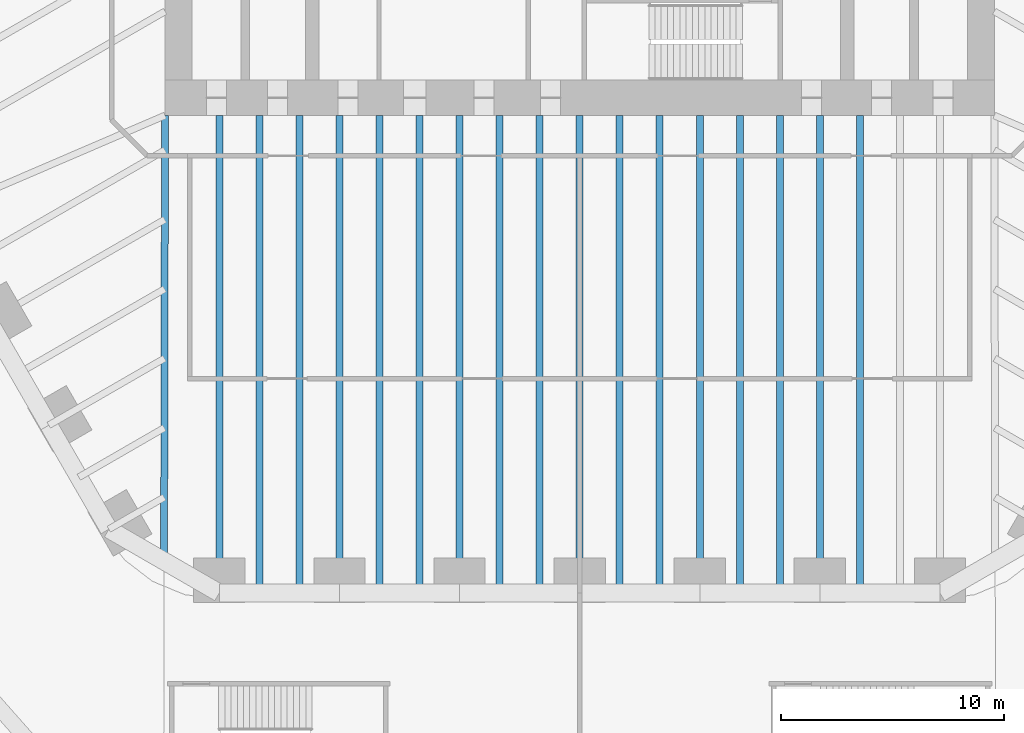
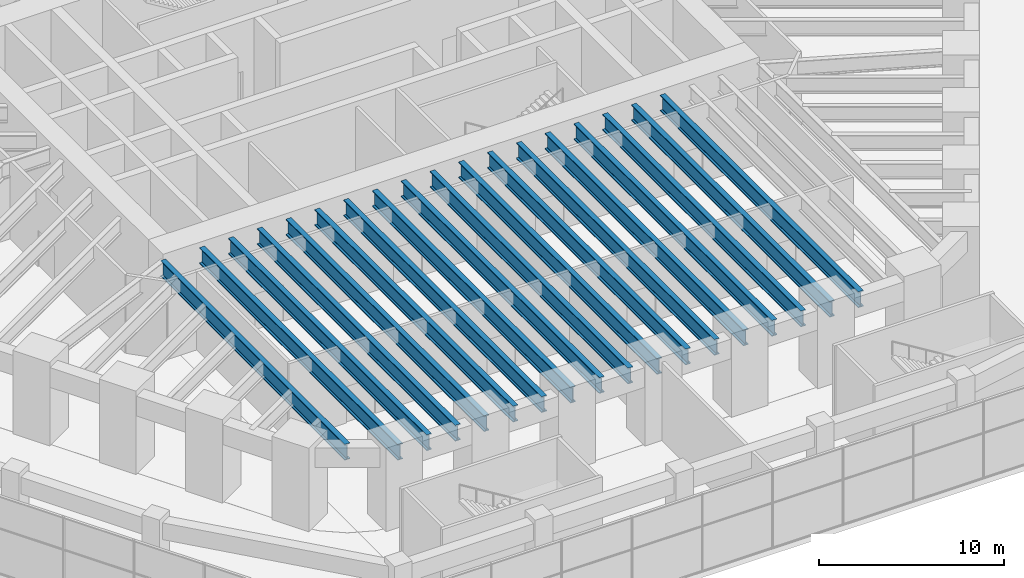
# One storey, part 8 of 31: 18 beams.
"""IFC4 building model written with IfcOpenShell, lengths in metres."""

from ifc_helpers import new_model, si_unit, direction, frame, origin, origin_2d, place, context, subcontext, project, spatial, i_section, extrude, material, material_profile, profile_set, type_object, element, save


model = new_model("IFC4")

# Units and contexts
model_context = context("Model", 3, precision=1e-05, world=origin(), true_north=direction((0.0, 1.0)))
body_context = subcontext(model_context, "Body", "Model", "MODEL_VIEW")
ifc_project = project(units=[si_unit("LENGTHUNIT", "METRE"), si_unit("AREAUNIT", "SQUARE_METRE"), si_unit("VOLUMEUNIT", "CUBIC_METRE"), si_unit("PLANEANGLEUNIT", "RADIAN"), si_unit("MASSUNIT", "GRAM", prefix="KILO")], contexts=[model_context])

# Site, building, storey
site_placement = place(None, origin())
site = spatial("IfcSite", under=ifc_project, at=site_placement, CompositionType="ELEMENT")
building_placement = place(site_placement, origin())
building = spatial("IfcBuilding", under=site, at=building_placement, Name="Tarfa Lantern Tower", CompositionType="ELEMENT")
storey_placement = place(building_placement, frame((0.0, 0.0, 13.0)))
storey = spatial("IfcBuildingStorey", under=building, at=storey_placement, Name="L02", CompositionType="ELEMENT", Elevation=13.0)

# Beams
ifc_material = material(Name="Steel S460M", Category="steel")
ifc_material_profile = material_profile(ifc_material, i_section(OverallWidth=0.314208984375, OverallDepth=1.055908203125, WebThickness=0.035888671875, FlangeThickness=0.06396484375, FilletRadius=0.030029296875, at=origin_2d()), Name="UB1016x305x584")
ifc_profile_set = profile_set([ifc_material_profile], Name="Steel S460M")
beam_type = type_object("IfcBeamType", Name="UB1016x305x584", PredefinedType="BEAM", material=ifc_profile_set)
beam_placement = place(storey_placement, frame((-18.60009765625, -12.300048828125, 4.6220703125), z_axis=(-0.00212508222, -0.99999774201, 0.0), x_axis=(0.99999774201, -0.00212508222, 0.0)))
element("IfcBeam", 1, at=beam_placement, inside=storey, type_object=beam_type, Name="Hip girder SW", PredefinedType="BEAM", context=body_context, shape_type="SweptSolid", body=[
    extrude(i_section(OverallWidth=0.314208984375, OverallDepth=1.055908203125, WebThickness=0.035888671875, FlangeThickness=0.06396484375, FilletRadius=0.030029296875, at=origin_2d()), origin(), (0.0, 0.0, 1.0), 19.989990234375),
])
for number, where, z_axis, x_axis, name in (
    (2, (-16.165771484375, -33.719970703125, 4.6220703125), (0.0, 1.0, 0.0), (-1.0, 0.0, 0.0), "Floor beam S0"),
    (3, (-10.777099609375, -33.719970703125, 4.6220703125), (0.0, 1.0, 0.0), (-1.0, 0.0, 0.0), "Floor beam S1"),
    (4, (-5.388671875, -33.719970703125, 4.6220703125), (0.0, 1.0, 0.0), (-1.0, 0.0, 0.0), "Floor beam S2"),
    (5, (0.0, -33.719970703125, 4.6220703125), (0.0, 1.0, 0.0), (-1.0, 0.0, 0.0), "Floor beam S3"),
    (6, (5.388671875, -33.719970703125, 4.6220703125), (0.0, 1.0, 0.0), (-1.0, 0.0, 0.0), "Floor beam S4"),
    (7, (10.777099609375, -33.719970703125, 4.6220703125), (0.0, 1.0, 0.0), (-1.0, 0.0, 0.0), "Floor beam S5"),
    (8, (-14.36962890625, -33.719970703125, 4.6220703125), (0.0, 1.0, 0.0), (-1.0, 0.0, 0.0), "Floor beam S0M1"),
    (9, (-12.573486328125, -33.719970703125, 4.6220703125), (0.0, 1.0, 0.0), (-1.0, 0.0, 0.0), "Floor beam S0M2"),
    (10, (-8.98095703125, -33.719970703125, 4.6220703125), (0.0, 1.0, 0.0), (-1.0, 0.0, 0.0), "Floor beam S1M1"),
    (11, (-7.184814453125, -33.719970703125, 4.6220703125), (0.0, 1.0, 0.0), (-1.0, 0.0, 0.0), "Floor beam S1M2"),
    (12, (-3.59228515625, -33.719970703125, 4.6220703125), (0.0, 1.0, 0.0), (-1.0, 0.0, 0.0), "Floor beam S2M1"),
    (13, (-1.796142578125, -33.719970703125, 4.6220703125), (0.0, 1.0, 0.0), (-1.0, 0.0, 0.0), "Floor beam S2M2"),
    (14, (1.796142578125, -33.719970703125, 4.6220703125), (0.0, 1.0, 0.0), (-1.0, 0.0, 0.0), "Floor beam S3M1"),
    (15, (3.59228515625, -33.719970703125, 4.6220703125), (0.0, 1.0, 0.0), (-1.0, 0.0, 0.0), "Floor beam S3M2"),
    (16, (7.184814453125, -33.719970703125, 4.6220703125), (0.0, 1.0, 0.0), (-1.0, 0.0, 0.0), "Floor beam S4M1"),
    (17, (8.98095703125, -33.719970703125, 4.6220703125), (0.0, 1.0, 0.0), (-1.0, 0.0, 0.0), "Floor beam S4M2"),
    (18, (12.573486328125, -33.719970703125, 4.6220703125), (0.0, 1.0, 0.0), (-1.0, 0.0, 0.0), "Floor beam S5M1"),
):
    element("IfcBeam", number, at=place(storey_placement, frame(where, z_axis=z_axis, x_axis=x_axis)), inside=storey, type_object=beam_type, Name=name, PredefinedType="BEAM", context=body_context, shape_type="SweptSolid", body=[
        extrude(i_section(OverallWidth=0.314208984375, OverallDepth=1.055908203125, WebThickness=0.035888671875, FlangeThickness=0.06396484375, FilletRadius=0.030029296875, at=origin_2d()), origin(), (0.0, 0.0, 1.0), 21.419921875),
    ])

save(model, "model.ifc")
